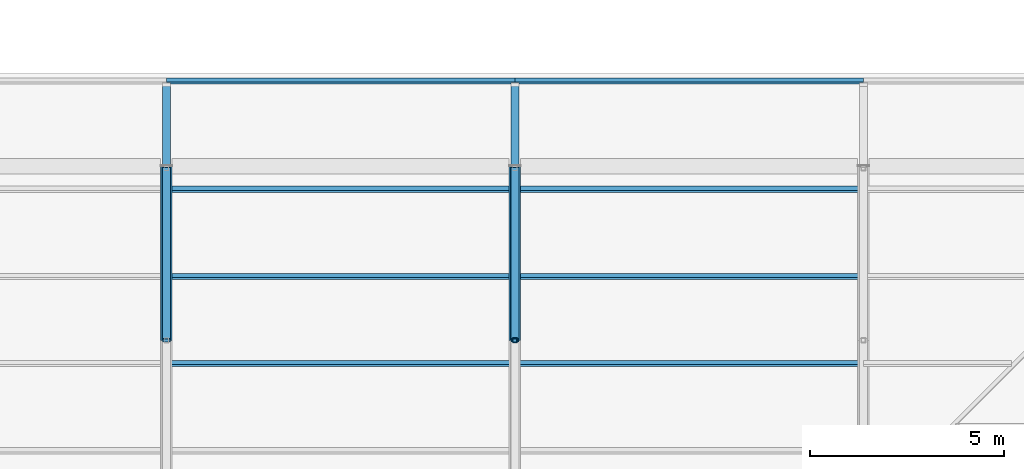
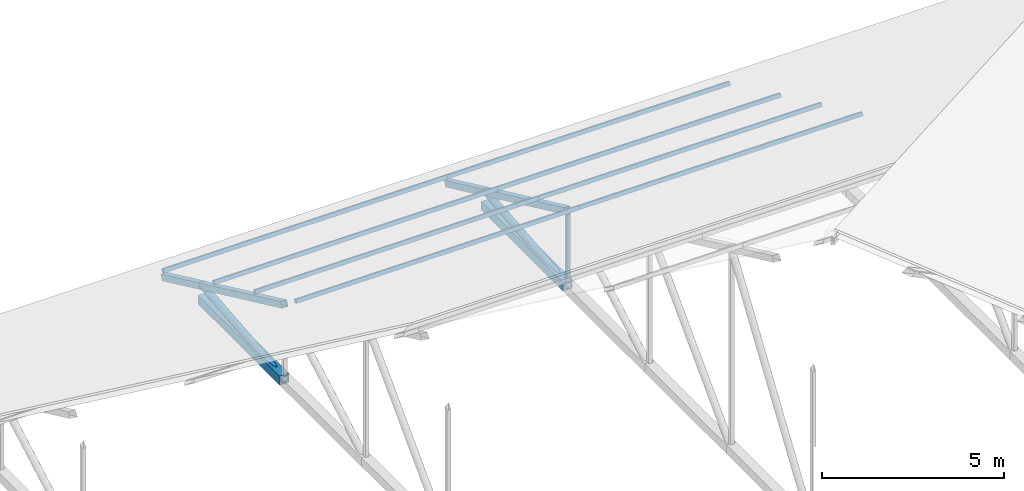
# One storey, part 73 of 154: 17 members.
"""IFC4 building model written with IfcOpenShell, lengths in metres."""

from ifc_helpers import new_model, si_unit, direction, frame, origin, origin_2d, place, context, subcontext, project, spatial, hollow_rectangle, hollow_circle, extrude, material, material_profile, profile_set, type_object, element, save


model = new_model("IFC4")

# Units and contexts
model_context = context("Model", 3, precision=1e-05, world=origin(), true_north=direction((0.0, 1.0)))
body_context = subcontext(model_context, "Body", "Model", "MODEL_VIEW")
ifc_project = project(units=[si_unit("LENGTHUNIT", "METRE"), si_unit("AREAUNIT", "SQUARE_METRE"), si_unit("VOLUMEUNIT", "CUBIC_METRE"), si_unit("PLANEANGLEUNIT", "RADIAN"), si_unit("MASSUNIT", "GRAM", prefix="KILO")], contexts=[model_context])

# Site, building, storey
site_placement = place(None, origin())
site = spatial("IfcSite", under=ifc_project, at=site_placement, CompositionType="ELEMENT")
building_placement = place(site_placement, origin())
building = spatial("IfcBuilding", under=site, at=building_placement, Name="Golden Quay Civic Hall", CompositionType="ELEMENT")
storey_placement = place(building_placement, frame((0.0, 0.0, 14.39990234375)))
storey = spatial("IfcBuildingStorey", under=building, at=storey_placement, Name="L03", CompositionType="ELEMENT", Elevation=14.39990234375)

# Members
ifc_material_1 = material(Name="Steel S355", Category="steel")
ifc_material_profile_1 = material_profile(ifc_material_1, hollow_rectangle(XDim=0.1201171875, YDim=0.1201171875, WallThickness=0.008056640625, at=origin_2d()), Name="SHS 120x120x8")
ifc_profile_set_1 = profile_set([ifc_material_profile_1], Name="Steel S355")
member_type_1 = type_object("IfcMemberType", Name="Steel roof purlin SHS 120x120x8", PredefinedType="PURLIN", material=ifc_profile_set_1)
for number, where, z_axis, x_axis, name in (
    (1, (144.0, 101.199951171875, -0.521240234375), (1.0, 0.0, 0.0), (0.0, 0.906307787037, -0.422618261741), "Purlin north 1-4 L03"),
    (2, (153.0, 101.199951171875, -0.521240234375), (1.0, 0.0, 0.0), (0.0, 0.906307787037, -0.422618261741), "Purlin north 1-5 L03"),
    (3, (144.0, 98.39990234375, 0.784423828125), (1.0, 0.0, 0.0), (0.0, 0.906307787037, -0.422618261741), "Purlin north 2-4 L03"),
    (4, (153.0, 98.39990234375, 0.784423828125), (1.0, 0.0, 0.0), (0.0, 0.906307787037, -0.422618261741), "Purlin north 2-5 L03"),
    (5, (144.0, 96.14990234375, 1.83349609375), (1.0, 0.0, 0.0), (0.0, 0.906307787037, -0.422618261741), "Purlin north 3-4 L03"),
    (6, (153.0, 96.14990234375, 1.83349609375), (1.0, 0.0, 0.0), (0.0, 0.906307787037, -0.422618261741), "Purlin north 3-5 L03"),
    (7, (144.0, 93.89990234375, 2.8828125), (1.0, 0.0, 0.0), (0.0, 0.906307787037, -0.422618261741), "Purlin north 4-4 L03"),
    (8, (153.0, 93.89990234375, 2.8828125), (1.0, 0.0, 0.0), (0.0, 0.906307787037, -0.422618261741), "Purlin north 4-5 L03"),
):
    element("IfcMember", number, at=place(storey_placement, frame(where, z_axis=z_axis, x_axis=x_axis)), inside=storey, type_object=member_type_1, Name=name, PredefinedType="PURLIN", context=body_context, shape_type="SweptSolid", body=[
        extrude(hollow_rectangle(XDim=0.1201171875, YDim=0.1201171875, WallThickness=0.008056640625, at=origin_2d()), origin(), (0.0, 0.0, 1.0), 9.0),
    ])
ifc_material_2 = material(Name="Steel S355", Category="steel")
ifc_material_profile_2 = material_profile(ifc_material_2, hollow_rectangle(XDim=0.300048828125, YDim=0.300048828125, WallThickness=0.01611328125, at=origin_2d()), Name="SHS 300x300x16")
ifc_profile_set_2 = profile_set([ifc_material_profile_2], Name="Steel S355")
member_type_2 = type_object("IfcMemberType", Name="Steel truss bottom chord SHS 300x300x16", PredefinedType="USERDEFINED", material=ifc_profile_set_2)
for number, where, z_axis, x_axis, name in (
    (9, (144.0, 94.5, -0.099853515625), (0.0, 1.0, 0.0), (-1.0, 0.0, 0.0), "Truss 144 bottom chord 8 L03"),
    (10, (153.0, 94.5, -0.099853515625), (0.0, 1.0, 0.0), (-1.0, 0.0, 0.0), "Truss 153 bottom chord 8 L03"),
):
    element("IfcMember", number, at=place(storey_placement, frame(where, z_axis=z_axis, x_axis=x_axis)), inside=storey, type_object=member_type_2, Name=name, ObjectType="TRUSS BOTTOM CHORD", PredefinedType="USERDEFINED", context=body_context, shape_type="SweptSolid", body=[
        extrude(hollow_rectangle(XDim=0.300048828125, YDim=0.300048828125, WallThickness=0.01611328125, at=origin_2d()), origin(), (0.0, 0.0, 1.0), 4.5),
    ])
ifc_material_3 = material(Name="Steel S355", Category="steel")
ifc_material_profile_3 = material_profile(ifc_material_3, hollow_circle(Radius=0.109619140625, WallThickness=0.010009765625, at=origin_2d()), Name="CHS 219.1x10")
ifc_profile_set_3 = profile_set([ifc_material_profile_3], Name="Steel S355")
member_type_3 = type_object("IfcMemberType", Name="Steel truss diagonal CHS 219.1x10", PredefinedType="BRACE", material=ifc_profile_set_3)
for number, where, z_axis, x_axis, name in (
    (11, (144.0, 94.5, -0.099853515625), (0.0, 0.995512933083, 0.094625578275), (-1.0, 0.0, 0.0), "Truss 144 diagonal 8 L03"),
    (12, (153.0, 94.5, -0.099853515625), (0.0, 0.995512933083, 0.094625578275), (-1.0, 0.0, 0.0), "Truss 153 diagonal 8 L03"),
):
    element("IfcMember", number, at=place(storey_placement, frame(where, z_axis=z_axis, x_axis=x_axis)), inside=storey, type_object=member_type_3, Name=name, PredefinedType="BRACE", context=body_context, shape_type="SweptSolid", body=[
        extrude(hollow_circle(Radius=0.109619140625, WallThickness=0.010009765625, at=origin_2d()), origin(), (0.0, 0.0, 1.0), 4.520263671875),
    ])
ifc_material_4 = material(Name="Steel S355", Category="steel")
ifc_material_profile_4 = material_profile(ifc_material_4, hollow_rectangle(XDim=0.1201171875, YDim=0.1201171875, WallThickness=0.008056640625, at=origin_2d()), Name="SHS 120x120x8")
ifc_profile_set_4 = profile_set([ifc_material_profile_4], Name="Steel S355")
member_type_4 = type_object("IfcMemberType", Name="Steel truss post SHS 120x120x8", PredefinedType="USERDEFINED", material=ifc_profile_set_4)
member_1_placement = place(storey_placement, frame((153.0, 94.5, 0.050048828125), z_axis=(0.0, 0.0, 1.0), x_axis=(1.0, 0.0, 0.0)))
element("IfcMember", 13, at=member_1_placement, inside=storey, type_object=member_type_4, Name="Truss 153 post 8 L03", ObjectType="TRUSS POST", PredefinedType="USERDEFINED", context=body_context, shape_type="SweptSolid", body=[
    extrude(hollow_rectangle(XDim=0.1201171875, YDim=0.1201171875, WallThickness=0.008056640625, at=origin_2d()), origin(), (0.0, 0.0, 1.0), 2.26611328125),
])
ifc_material_5 = material(Name="Steel S355", Category="steel")
ifc_material_profile_5 = material_profile(ifc_material_5, hollow_rectangle(XDim=0.199951171875, YDim=0.199951171875, WallThickness=0.010009765625, at=origin_2d()), Name="SHS 200x200x10")
ifc_profile_set_5 = profile_set([ifc_material_profile_5], Name="Steel S355")
member_type_5 = type_object("IfcMemberType", Name="Steel truss top chord SHS 200x200x10", PredefinedType="USERDEFINED", material=ifc_profile_set_5)
member_2_placement = place(storey_placement, frame((144.0, 94.5, 2.426513671875), z_axis=(0.0, 0.906288628397, -0.422659345144), x_axis=(-1.0, 0.0, 0.0)))
element("IfcMember", 14, at=member_2_placement, inside=storey, type_object=member_type_5, Name="Truss 144 top chord 9 L03", ObjectType="TRUSS TOP CHORD", PredefinedType="USERDEFINED", context=body_context, shape_type="SweptSolid", body=[
    extrude(hollow_rectangle(XDim=0.199951171875, YDim=0.199951171875, WallThickness=0.010009765625, at=origin_2d()), origin(), (0.0, 0.0, 1.0), 4.96533203125),
])
member_3_placement = place(storey_placement, frame((144.0, 99.0, 0.327880859375), z_axis=(0.0, 0.906355341487, -0.42251626591), x_axis=(-1.0, 0.0, 0.0)))
element("IfcMember", 15, at=member_3_placement, inside=storey, type_object=member_type_5, Name="Truss 144 top chord 10 L03", ObjectType="TRUSS TOP CHORD", PredefinedType="USERDEFINED", context=body_context, shape_type="SweptSolid", body=[
    extrude(hollow_rectangle(XDim=0.199951171875, YDim=0.199951171875, WallThickness=0.010009765625, at=origin_2d()), origin(), (0.0, 0.0, 1.0), 2.317138671875),
])
member_4_placement = place(storey_placement, frame((153.0, 94.5, 2.426513671875), z_axis=(0.0, 0.906288628397, -0.422659345144), x_axis=(-1.0, 0.0, 0.0)))
element("IfcMember", 16, at=member_4_placement, inside=storey, type_object=member_type_5, Name="Truss 153 top chord 9 L03", ObjectType="TRUSS TOP CHORD", PredefinedType="USERDEFINED", context=body_context, shape_type="SweptSolid", body=[
    extrude(hollow_rectangle(XDim=0.199951171875, YDim=0.199951171875, WallThickness=0.010009765625, at=origin_2d()), origin(), (0.0, 0.0, 1.0), 4.96533203125),
])
member_5_placement = place(storey_placement, frame((153.0, 99.0, 0.327880859375), z_axis=(0.0, 0.906355341487, -0.42251626591), x_axis=(-1.0, 0.0, 0.0)))
element("IfcMember", 17, at=member_5_placement, inside=storey, type_object=member_type_5, Name="Truss 153 top chord 10 L03", ObjectType="TRUSS TOP CHORD", PredefinedType="USERDEFINED", context=body_context, shape_type="SweptSolid", body=[
    extrude(hollow_rectangle(XDim=0.199951171875, YDim=0.199951171875, WallThickness=0.010009765625, at=origin_2d()), origin(), (0.0, 0.0, 1.0), 2.317138671875),
])

save(model, "model.ifc")
